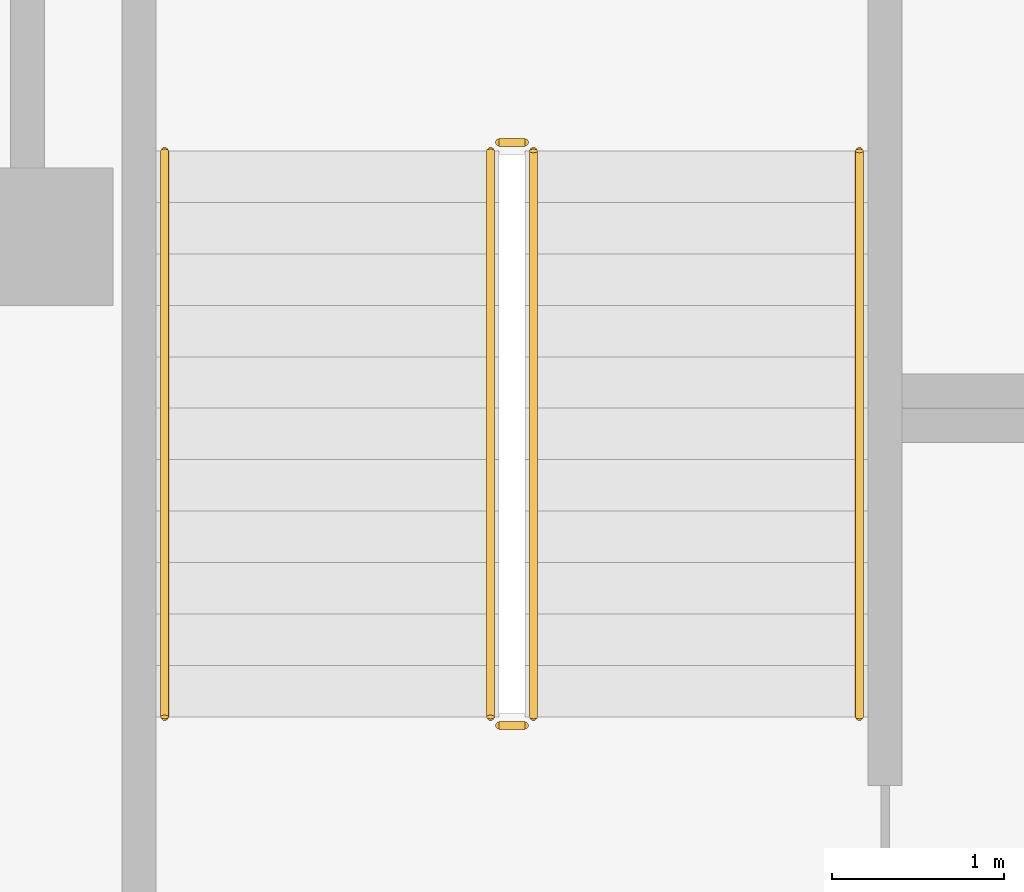
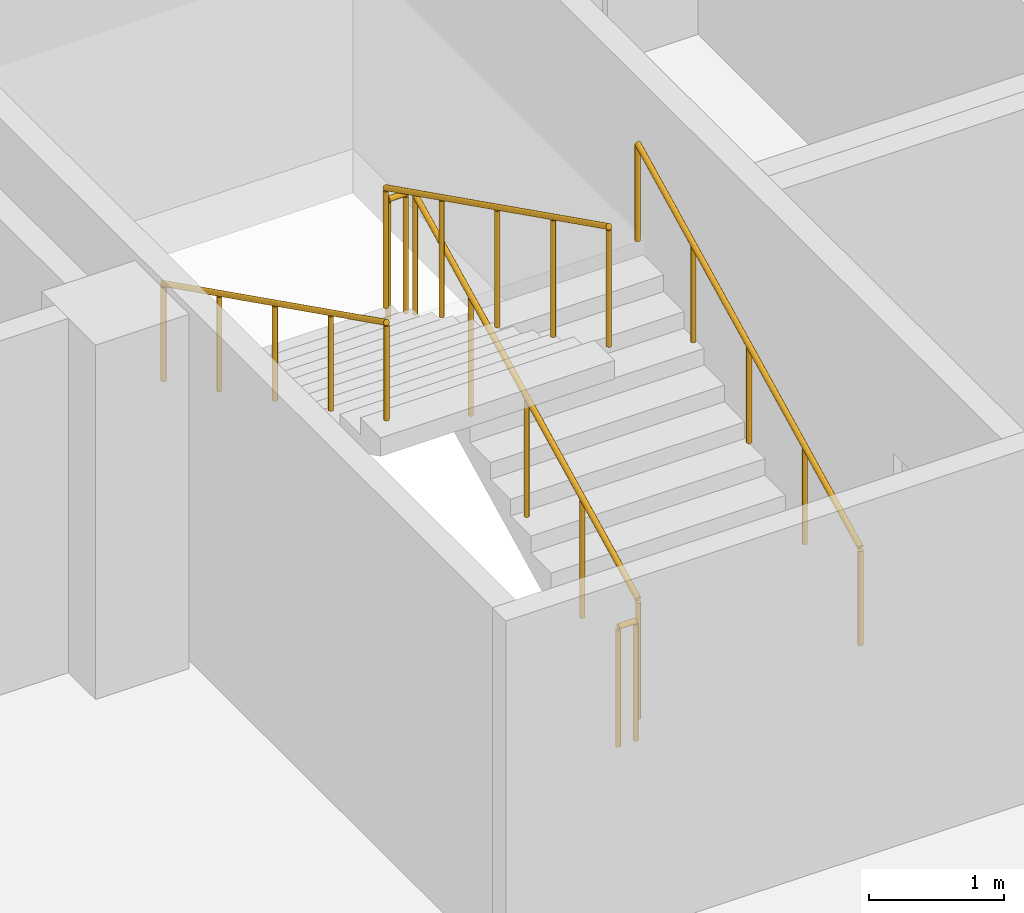
# One storey, part 32 of 37: 6 railings.
"""IFC4 building model written with IfcOpenShell, lengths in metres."""

import ifcopenshell
import ifcopenshell.guid

model = None  # the IFC model being written
_history = None  # IfcOwnerHistory: only IFC2X3 demands one
_inside = {}  # id of a spatial element -> (the spatial element, [elements in it])
_under = {}  # id of a project, library or spatial element -> (it, [spatial elements below it])
_declared = {}  # id of a project -> (the project, [libraries it declares])
_typed = {}  # id of a type object -> (the type object, [elements of that type])
_made_of = {}  # id of a material, layer set ... -> (it, [elements and type objects made of it])


def new_model(schema):
    """Start an empty IFC model of exactly this schema.

    Asked for "IFC4X3", IfcOpenShell would pick the latest addendum, in which some entities
    have other attributes; the version numbers below select the first issue.
    IFC2X3 requires an IfcOwnerHistory on every rooted entity: one is made here for all.
    """
    global model, _history
    if schema == "IFC4X3":
        model = ifcopenshell.file(schema_version=(4, 3, 0, 0))
    else:
        model = ifcopenshell.file(schema=schema)
    _inside.clear()
    _under.clear()
    _declared.clear()
    _typed.clear()
    _made_of.clear()
    _history = None
    if model.schema == "IFC2X3":
        org = make("IfcOrganization", Name="unknown")
        user = make(
            "IfcPersonAndOrganization",
            ThePerson=make("IfcPerson", FamilyName="unknown"),
            TheOrganization=org,
        )
        app = make(
            "IfcApplication",
            ApplicationDeveloper=org,
            Version="unknown",
            ApplicationFullName="unknown",
            ApplicationIdentifier="unknown",
        )
        _history = make(
            "IfcOwnerHistory",
            OwningUser=user,
            OwningApplication=app,
            ChangeAction="ADDED",
            CreationDate=0,
        )
    return model


def make(cls, **values):
    """One entity of the class cls with the attributes given. An attribute that is None is left unset."""
    return model.create_entity(
        cls, **{name: value for name, value in values.items() if value is not None}
    )


def rooted(cls, **values):
    """An entity with a GlobalId (a new one), such as an element, a storey or a relation."""
    return make(cls, GlobalId=ifcopenshell.guid.new(), OwnerHistory=_history, **values)


def si_unit(unit_type, name, prefix=None):
    """IfcSIUnit, for example si_unit("LENGTHUNIT", "METRE", prefix="MILLI")."""
    return make("IfcSIUnit", UnitType=unit_type, Prefix=prefix, Name=name)


def assignment(units):
    """IfcUnitAssignment: the units of a project."""
    return None if units is None else make("IfcUnitAssignment", Units=units)


def point(xyz):
    """IfcCartesianPoint."""
    return None if xyz is None else make("IfcCartesianPoint", Coordinates=xyz)


def direction(xyz):
    """IfcDirection."""
    return None if xyz is None else make("IfcDirection", DirectionRatios=xyz)


def frame(location, z_axis=None, x_axis=None):
    """IfcAxis2Placement3D, a coordinate frame: its origin and axes. An axis left out is left unset."""
    return make(
        "IfcAxis2Placement3D",
        Location=point(location),
        Axis=direction(z_axis),
        RefDirection=direction(x_axis),
    )


def frame_2d(location, x_axis=None):
    """IfcAxis2Placement2D, a coordinate frame in the plane: its origin and x axis."""
    return make(
        "IfcAxis2Placement2D", Location=point(location), RefDirection=direction(x_axis)
    )


def origin():
    """The frame at (0, 0, 0) with its axes left unset."""
    return frame((0.0, 0.0, 0.0))


def origin_2d():
    """The frame at (0, 0) in the plane with its x axis left unset."""
    return frame_2d((0.0, 0.0))


def place(relative_to, where):
    """IfcLocalPlacement: puts the frame where relative to a parent placement (None: the world)."""
    return make(
        "IfcLocalPlacement", PlacementRelTo=relative_to, RelativePlacement=where
    )


def context(
    kind, dimensions, precision=None, world=None, true_north=None, identifier=None
):
    """IfcGeometricRepresentationContext, for example the 3D "Model" context."""
    return make(
        "IfcGeometricRepresentationContext",
        ContextIdentifier=identifier,
        ContextType=kind,
        CoordinateSpaceDimension=dimensions,
        Precision=precision,
        WorldCoordinateSystem=world,
        TrueNorth=true_north,
    )


def subcontext(parent, identifier, kind, view, scale=None):
    """IfcGeometricRepresentationSubContext, for example "Body" below "Model"."""
    return make(
        "IfcGeometricRepresentationSubContext",
        ContextIdentifier=identifier,
        ContextType=kind,
        ParentContext=parent,
        TargetScale=scale,
        TargetView=view,
    )


def project(units=None, contexts=None):
    """IfcProject with its units and contexts."""
    return rooted(
        "IfcProject",
        Name="project",
        RepresentationContexts=contexts,
        UnitsInContext=assignment(units),
    )


def spatial(cls, under=None, at=None, **own):
    """A site, building, storey or space (cls), placed at a placement, below another one or the project."""
    s = rooted(cls, ObjectPlacement=at, **own)
    if under is not None:
        _under.setdefault(under.id(), (under, []))[1].append(s)
    return s


def profile(cls, at=None, kind="AREA", **sizes):
    """A parametric profile (cls). Its sizes go by their IFC names, for example OverallWidth=200.0."""
    return make(cls, ProfileType=kind, Position=at, **sizes)


def circle(**sizes):
    """IfcCircleProfileDef."""
    return profile("IfcCircleProfileDef", **sizes)


def extrude(swept, where, along, depth):
    """IfcExtrudedAreaSolid: the profile swept, set in the frame where, extruded along a direction by depth."""
    return make(
        "IfcExtrudedAreaSolid",
        SweptArea=swept,
        Position=where,
        ExtrudedDirection=direction(along),
        Depth=depth,
    )


def shape(context_of_items, identifier, shape_type, items):
    """IfcShapeRepresentation: the items that make up one representation, for example the "Body"."""
    return make(
        "IfcShapeRepresentation",
        ContextOfItems=context_of_items,
        RepresentationIdentifier=identifier,
        RepresentationType=shape_type,
        Items=items,
    )


def material(Name=None, Category=None):
    """IfcMaterial."""
    return make("IfcMaterial", Name=Name, Category=Category)


def made_of(thing, what):
    """Note that an element or type object is made of a material, layer set ...; save() writes the relation."""
    if what is not None:
        _made_of.setdefault(what.id(), (what, []))[1].append(thing)
    return thing


def type_object(cls, material=None, **own):
    """A type object (cls), such as IfcWallType, which elements share."""
    return made_of(rooted(cls, **own), material)


def element(
    cls,
    number,
    at=None,
    inside=None,
    cuts=None,
    type_object=None,
    material=None,
    context=None,
    identifier="Body",
    shape_type=None,
    held_by="IfcProductDefinitionShape",
    body=None,
    shapes=None,
    **own,
):
    """One element of the class cls, such as IfcWall. Its Tag is "e" and its number.

    at: its placement. inside: the storey or other place that contains it. cuts: it is an
    opening in that element (IfcRelVoidsElement). A single representation is given by context,
    identifier, shape_type and body (its items); several are given by shapes. held_by: the class
    of the entity that holds the representations. save() writes the other relations.
    """
    e = rooted(cls, Tag="e%d" % number, ObjectPlacement=at, **own)
    if body is not None:
        shapes = [shape(context, identifier, shape_type, body)]
    if shapes is not None:
        e.Representation = make(held_by, Representations=shapes)
    if inside is not None:
        _inside.setdefault(inside.id(), (inside, []))[1].append(e)
    if cuts is not None:
        rooted(
            "IfcRelVoidsElement", RelatingBuildingElement=cuts, RelatedOpeningElement=e
        )
    if type_object is not None:
        _typed.setdefault(type_object.id(), (type_object, []))[1].append(e)
    return made_of(e, material)


def aggregate(whole, parts):
    """IfcRelAggregates: a whole, such as a stair, and the parts it consists of."""
    return rooted("IfcRelAggregates", RelatingObject=whole, RelatedObjects=parts)


def save(model, path):
    """Write the relations noted so far, then the file.

    IfcRelAggregates (storeys below a building ...), IfcRelContainedInSpatialStructure (elements
    in a storey), IfcRelDefinesByType, IfcRelAssociatesMaterial and IfcRelDeclares: one each for
    every whole, place, type object, material and project.
    """
    for whole, parts in _under.values():
        aggregate(whole, parts)
    for where, things in _inside.values():
        rooted(
            "IfcRelContainedInSpatialStructure",
            RelatedElements=things,
            RelatingStructure=where,
        )
    for kind, things in _typed.values():
        rooted("IfcRelDefinesByType", RelatedObjects=things, RelatingType=kind)
    for what, things in _made_of.values():
        rooted("IfcRelAssociatesMaterial", RelatedObjects=things, RelatingMaterial=what)
    for by, libraries in _declared.values():
        rooted("IfcRelDeclares", RelatingContext=by, RelatedDefinitions=libraries)
    model.write(path)


model = new_model("IFC4")

# Units and contexts
model_context = context("Model", 3, precision=1e-05, world=origin(), true_north=direction((0.0, 1.0)))
body_context = subcontext(model_context, "Body", "Model", "MODEL_VIEW")
ifc_project = project(units=[si_unit("LENGTHUNIT", "METRE"), si_unit("AREAUNIT", "SQUARE_METRE"), si_unit("VOLUMEUNIT", "CUBIC_METRE"), si_unit("PLANEANGLEUNIT", "RADIAN"), si_unit("MASSUNIT", "GRAM", prefix="KILO")], contexts=[model_context])

# Site, building, storey
site_placement = place(None, origin())
site = spatial("IfcSite", under=ifc_project, at=site_placement, CompositionType="ELEMENT")
building_placement = place(site_placement, origin())
building = spatial("IfcBuilding", under=site, at=building_placement, Name="Tamra Quay Hotel Tower", CompositionType="ELEMENT")
storey_placement = place(building_placement, frame((0.0, 0.0, -7.199951171875)))
storey = spatial("IfcBuildingStorey", under=building, at=storey_placement, Name="B2", CompositionType="ELEMENT", Elevation=-7.199951171875)

# Railings
ifc_material_1 = material(Name="Basement stair guard 1100")
railing_type_1 = type_object("IfcRailingType", Name="Basement stair guard 1100", PredefinedType="GUARDRAIL", material=ifc_material_1)
railing_1_placement = place(storey_placement, frame((31.35009765625, 13.199951171875, 0.14990234375)))
element("IfcRailing", 1, at=railing_1_placement, inside=storey, type_object=railing_type_1, Name="BSG", PredefinedType="GUARDRAIL", context=body_context, shape_type="SweptSolid", body=[
    extrude(circle(Radius=0.02392578125, at=origin_2d()), frame((0.0, 0.0, 1.076171875), z_axis=(0.0, 0.894413956696, 0.447240063129), x_axis=(-1.0, 0.0, 0.0)), (0.0, 0.0, 1.0), 3.689697265625),
    extrude(circle(Radius=0.02099609375, at=origin_2d()), origin(), (0.0, 0.0, 1.0), 1.052001953125),
    extrude(circle(Radius=0.02099609375, at=origin_2d()), frame((0.0, 0.824951171875, 0.41259765625)), (0.0, 0.0, 1.0), 1.052001953125),
    extrude(circle(Radius=0.02099609375, at=origin_2d()), frame((0.0, 1.64990234375, 0.8251953125)), (0.0, 0.0, 1.0), 1.052001953125),
    extrude(circle(Radius=0.02099609375, at=origin_2d()), frame((0.0, 2.47509765625, 1.237548828125)), (0.0, 0.0, 1.0), 1.052001953125),
    extrude(circle(Radius=0.02099609375, at=origin_2d()), frame((0.0, 3.300048828125, 1.650146484375)), (0.0, 0.0, 1.0), 1.052001953125),
])
railing_2_placement = place(storey_placement, frame((31.300048828125, 16.550048828125, 1.800048828125)))
element("IfcRailing", 2, at=railing_2_placement, inside=storey, type_object=railing_type_1, Name="BSG", PredefinedType="GUARDRAIL", context=body_context, shape_type="SweptSolid", body=[
    extrude(circle(Radius=0.02392578125, at=origin_2d()), frame((0.0, 0.0, 1.076171875), z_axis=(-1.0, 0.0, 0.0), x_axis=(0.0, -1.0, 0.0)), (0.0, 0.0, 1.0), 0.150146484375),
    extrude(circle(Radius=0.02099609375, at=origin_2d()), origin(), (0.0, 0.0, 1.0), 1.052001953125),
    extrude(circle(Radius=0.02099609375, at=origin_2d()), frame((-0.150146484375, 0.0, 0.0)), (0.0, 0.0, 1.0), 1.052001953125),
])
railing_3_placement = place(storey_placement, frame((31.10009765625, 16.5, 1.949951171875)))
element("IfcRailing", 3, at=railing_3_placement, inside=storey, type_object=railing_type_1, Name="BSG", PredefinedType="GUARDRAIL", context=body_context, shape_type="SweptSolid", body=[
    extrude(circle(Radius=0.02392578125, at=origin_2d()), frame((0.0, 0.0, 1.076171875), z_axis=(0.0, -0.894440424912, 0.447187126696), x_axis=(1.0, 0.0, 0.0)), (0.0, 0.0, 1.0), 3.689453125),
    extrude(circle(Radius=0.02099609375, at=origin_2d()), origin(), (0.0, 0.0, 1.0), 1.052001953125),
    extrude(circle(Radius=0.02099609375, at=origin_2d()), frame((0.0, -0.824951171875, 0.41259765625)), (0.0, 0.0, 1.0), 1.052001953125),
    extrude(circle(Radius=0.02099609375, at=origin_2d()), frame((0.0, -1.64990234375, 0.824951171875)), (0.0, 0.0, 1.0), 1.052001953125),
    extrude(circle(Radius=0.02099609375, at=origin_2d()), frame((0.0, -2.47509765625, 1.2373046875)), (0.0, 0.0, 1.0), 1.052001953125),
    extrude(circle(Radius=0.02099609375, at=origin_2d()), frame((0.0, -3.300048828125, 1.64990234375)), (0.0, 0.0, 1.0), 1.052001953125),
])
railing_4_placement = place(storey_placement, frame((31.300048828125, 13.14990234375, 0.0)))
element("IfcRailing", 4, at=railing_4_placement, inside=storey, type_object=railing_type_1, Name="BSG", PredefinedType="GUARDRAIL", context=body_context, shape_type="SweptSolid", body=[
    extrude(circle(Radius=0.02392578125, at=origin_2d()), frame((0.0, 0.0, 1.076171875), z_axis=(-1.0, 0.0, 0.0), x_axis=(0.0, -1.0, 0.0)), (0.0, 0.0, 1.0), 0.150146484375),
    extrude(circle(Radius=0.02099609375, at=origin_2d()), origin(), (0.0, 0.0, 1.0), 1.052001953125),
    extrude(circle(Radius=0.02099609375, at=origin_2d()), frame((-0.150146484375, 0.0, 0.0)), (0.0, 0.0, 1.0), 1.052001953125),
])
ifc_material_2 = material(Name="Basement stair handrail 900")
railing_type_2 = type_object("IfcRailingType", Name="Basement stair handrail 900", PredefinedType="HANDRAIL", material=ifc_material_2)
railing_5_placement = place(storey_placement, frame((33.25, 13.199951171875, 0.14990234375)))
element("IfcRailing", 5, at=railing_5_placement, inside=storey, type_object=railing_type_2, Name="BSH", PredefinedType="HANDRAIL", context=body_context, shape_type="SweptSolid", body=[
    extrude(circle(Radius=0.02392578125, at=origin_2d()), frame((0.0, 0.0, 0.8759765625), z_axis=(0.0, 0.894413956696, 0.447240063129), x_axis=(-1.0, 0.0, 0.0)), (0.0, 0.0, 1.0), 3.689697265625),
    extrude(circle(Radius=0.02099609375, at=origin_2d()), origin(), (0.0, 0.0, 1.0), 0.851806640625),
    extrude(circle(Radius=0.02099609375, at=origin_2d()), frame((0.0, 0.824951171875, 0.41259765625)), (0.0, 0.0, 1.0), 0.851806640625),
    extrude(circle(Radius=0.02099609375, at=origin_2d()), frame((0.0, 1.64990234375, 0.8251953125)), (0.0, 0.0, 1.0), 0.851806640625),
    extrude(circle(Radius=0.02099609375, at=origin_2d()), frame((0.0, 2.47509765625, 1.237548828125)), (0.0, 0.0, 1.0), 0.851806640625),
    extrude(circle(Radius=0.02099609375, at=origin_2d()), frame((0.0, 3.300048828125, 1.650146484375)), (0.0, 0.0, 1.0), 0.851806640625),
])
railing_6_placement = place(storey_placement, frame((29.199951171875, 16.5, 1.949951171875)))
element("IfcRailing", 6, at=railing_6_placement, inside=storey, type_object=railing_type_2, Name="BSH", PredefinedType="HANDRAIL", context=body_context, shape_type="SweptSolid", body=[
    extrude(circle(Radius=0.02392578125, at=origin_2d()), frame((0.0, 0.0, 0.8759765625), z_axis=(0.0, -0.894440424912, 0.447187126696), x_axis=(1.0, 0.0, 0.0)), (0.0, 0.0, 1.0), 3.689453125),
    extrude(circle(Radius=0.02099609375, at=origin_2d()), origin(), (0.0, 0.0, 1.0), 0.851806640625),
    extrude(circle(Radius=0.02099609375, at=origin_2d()), frame((0.0, -0.824951171875, 0.41259765625)), (0.0, 0.0, 1.0), 0.851806640625),
    extrude(circle(Radius=0.02099609375, at=origin_2d()), frame((0.0, -1.64990234375, 0.824951171875)), (0.0, 0.0, 1.0), 0.851806640625),
    extrude(circle(Radius=0.02099609375, at=origin_2d()), frame((0.0, -2.47509765625, 1.2373046875)), (0.0, 0.0, 1.0), 0.851806640625),
    extrude(circle(Radius=0.02099609375, at=origin_2d()), frame((0.0, -3.300048828125, 1.64990234375)), (0.0, 0.0, 1.0), 0.851806640625),
])

save(model, "model.ifc")
